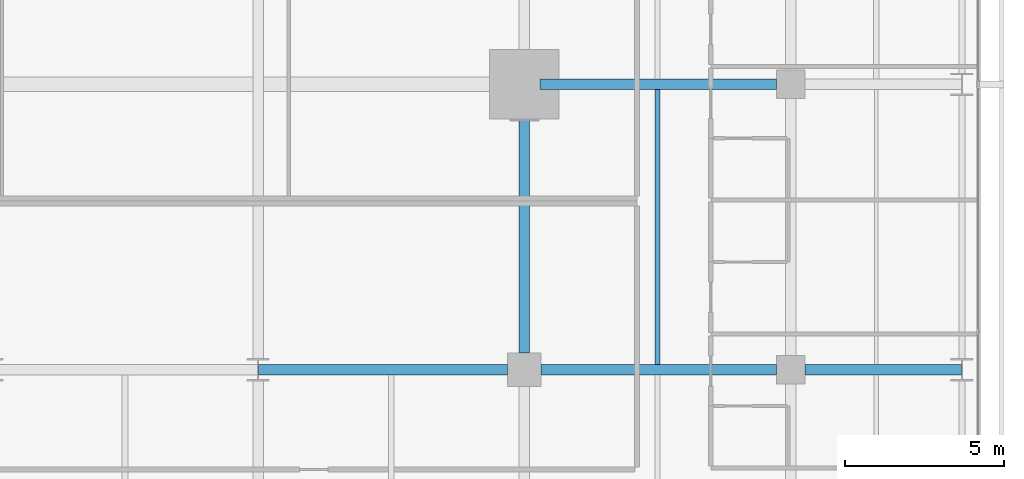
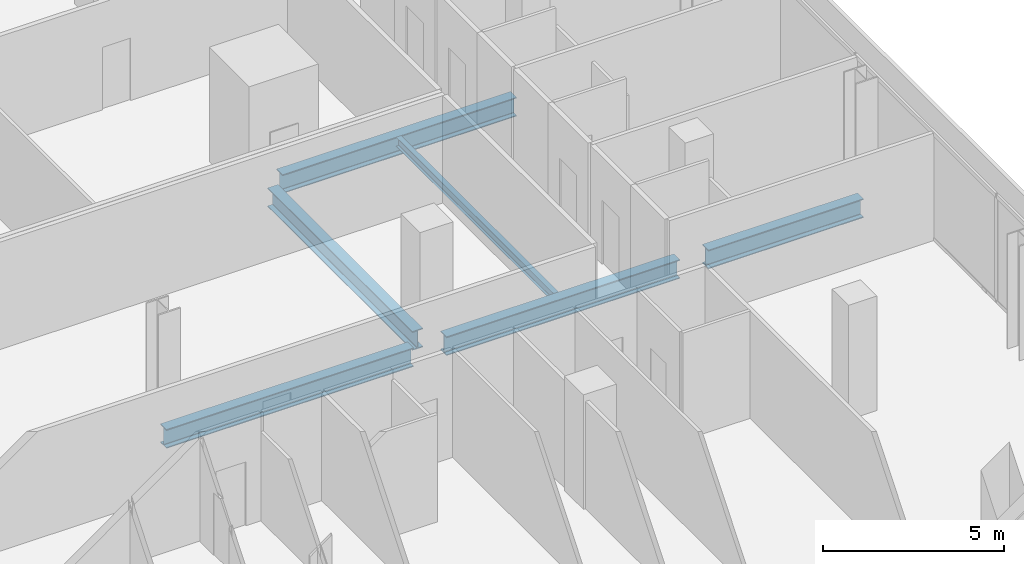
# One storey, part 18 of 40: 6 beams.
"""IFC4 building model written with IfcOpenShell, lengths in metres."""

from ifc_helpers import new_model, si_unit, direction, frame, origin, origin_2d, place, context, subcontext, project, spatial, i_section, extrude, material, material_profile, profile_set, type_object, element, save


model = new_model("IFC4")

# Units and contexts
model_context = context("Model", 3, precision=1e-05, world=origin(), true_north=direction((0.0, 1.0)))
body_context = subcontext(model_context, "Body", "Model", "MODEL_VIEW")
ifc_project = project(units=[si_unit("LENGTHUNIT", "METRE"), si_unit("AREAUNIT", "SQUARE_METRE"), si_unit("VOLUMEUNIT", "CUBIC_METRE"), si_unit("PLANEANGLEUNIT", "RADIAN"), si_unit("MASSUNIT", "GRAM", prefix="KILO")], contexts=[model_context])

# Site, building, storey
site_placement = place(None, origin())
site = spatial("IfcSite", under=ifc_project, at=site_placement, CompositionType="ELEMENT")
building_placement = place(site_placement, origin())
building = spatial("IfcBuilding", under=site, at=building_placement, Name="Maruvema Waterfront Hotel and Observation Tower", CompositionType="ELEMENT")
storey_placement = place(building_placement, frame((0.0, 0.0, 34.64990234375)))
storey = spatial("IfcBuildingStorey", under=building, at=storey_placement, Name="L07", CompositionType="ELEMENT", Elevation=34.64990234375)

# Beams
ifc_material_1 = material(Name="Steel ASTM A572 Grade 50", Category="steel")
ifc_material_profile_1 = material_profile(ifc_material_1, i_section(OverallWidth=0.3291015625, OverallDepth=0.635009765625, WebThickness=0.017822265625, FlangeThickness=0.031005859375, FilletRadius=0.01806640625, at=origin_2d()), Name="W610x241.0")
ifc_profile_set_1 = profile_set([ifc_material_profile_1], Name="Steel ASTM A572 Grade 50")
beam_type_1 = type_object("IfcBeamType", Name="Primary Floor Girder W610x241.0", PredefinedType="BEAM", material=ifc_profile_set_1)
beam_1_placement = place(storey_placement, frame((42.013916015625, 18.0, -0.557373046875), z_axis=(1.0, 0.0, 0.0), x_axis=(0.0, 1.0, 0.0)))
element("IfcBeam", 1, at=beam_1_placement, inside=storey, type_object=beam_type_1, Name="L07 Floor Girder EW-17", PredefinedType="BEAM", context=body_context, shape_type="SweptSolid", body=[
    extrude(i_section(OverallWidth=0.3291015625, OverallDepth=0.635009765625, WebThickness=0.017822265625, FlangeThickness=0.031005859375, FilletRadius=0.01806640625, at=origin_2d()), origin(), (0.0, 0.0, 1.0), 7.861083984375),
])
beam_2_placement = place(storey_placement, frame((50.925048828125, 18.0, -0.557373046875), z_axis=(1.0, 0.0, 0.0), x_axis=(0.0, 1.0, 0.0)))
element("IfcBeam", 2, at=beam_2_placement, inside=storey, type_object=beam_type_1, Name="L07 Floor Girder EW-18", PredefinedType="BEAM", context=body_context, shape_type="SweptSolid", body=[
    extrude(i_section(OverallWidth=0.3291015625, OverallDepth=0.635009765625, WebThickness=0.017822265625, FlangeThickness=0.031005859375, FilletRadius=0.01806640625, at=origin_2d()), origin(), (0.0, 0.0, 1.0), 7.425048828125),
])
beam_3_placement = place(storey_placement, frame((59.25, 18.0, -0.557373046875), z_axis=(1.0, 0.0, 0.0), x_axis=(0.0, 1.0, 0.0)))
element("IfcBeam", 3, at=beam_3_placement, inside=storey, type_object=beam_type_1, Name="L07 Floor Girder EW-19", PredefinedType="BEAM", context=body_context, shape_type="SweptSolid", body=[
    extrude(i_section(OverallWidth=0.3291015625, OverallDepth=0.635009765625, WebThickness=0.017822265625, FlangeThickness=0.031005859375, FilletRadius=0.01806640625, at=origin_2d()), origin(), (0.0, 0.0, 1.0), 4.93603515625),
])
beam_4_placement = place(storey_placement, frame((50.89990234375, 27.0, -0.557373046875), z_axis=(1.0, 0.0, 0.0), x_axis=(0.0, 1.0, 0.0)))
element("IfcBeam", 4, at=beam_4_placement, inside=storey, type_object=beam_type_1, Name="L07 Floor Girder EW-23", PredefinedType="BEAM", context=body_context, shape_type="SweptSolid", body=[
    extrude(i_section(OverallWidth=0.3291015625, OverallDepth=0.635009765625, WebThickness=0.017822265625, FlangeThickness=0.031005859375, FilletRadius=0.01806640625, at=origin_2d()), origin(), (0.0, 0.0, 1.0), 7.4501953125),
])
beam_5_placement = place(storey_placement, frame((50.39990234375, 18.52490234375, -0.557373046875), z_axis=(0.0, 1.0, 0.0), x_axis=(-1.0, 0.0, 0.0)))
element("IfcBeam", 5, at=beam_5_placement, inside=storey, type_object=beam_type_1, Name="L07 Floor Girder NS-24", PredefinedType="BEAM", context=body_context, shape_type="SweptSolid", body=[
    extrude(i_section(OverallWidth=0.3291015625, OverallDepth=0.635009765625, WebThickness=0.017822265625, FlangeThickness=0.031005859375, FilletRadius=0.01806640625, at=origin_2d()), origin(), (0.0, 0.0, 1.0), 7.97509765625),
])
ifc_material_2 = material(Name="Steel ASTM A572 Grade 50", Category="steel")
ifc_material_profile_2 = material_profile(ifc_material_2, i_section(OverallWidth=0.1650390625, OverallDepth=0.31005859375, WebThickness=0.005859375, FlangeThickness=0.009765625, FilletRadius=0.012939453125, at=origin_2d()), Name="W310x38.7")
ifc_profile_set_2 = profile_set([ifc_material_profile_2], Name="Steel ASTM A572 Grade 50")
beam_type_2 = type_object("IfcBeamType", Name="Secondary Floor Joist W310x38.7", PredefinedType="JOIST", material=ifc_profile_set_2)
beam_6_placement = place(storey_placement, frame((54.60009765625, 18.16455078125, -0.39501953125), z_axis=(0.0, 1.0, 0.0), x_axis=(-1.0, 0.0, 0.0)))
element("IfcBeam", 6, at=beam_6_placement, inside=storey, type_object=beam_type_2, Name="L07 Secondary Floor Joist JS-18", PredefinedType="JOIST", context=body_context, shape_type="SweptSolid", body=[
    extrude(i_section(OverallWidth=0.1650390625, OverallDepth=0.31005859375, WebThickness=0.005859375, FlangeThickness=0.009765625, FilletRadius=0.012939453125, at=origin_2d()), origin(), (0.0, 0.0, 1.0), 8.6708984375),
])

save(model, "model.ifc")
